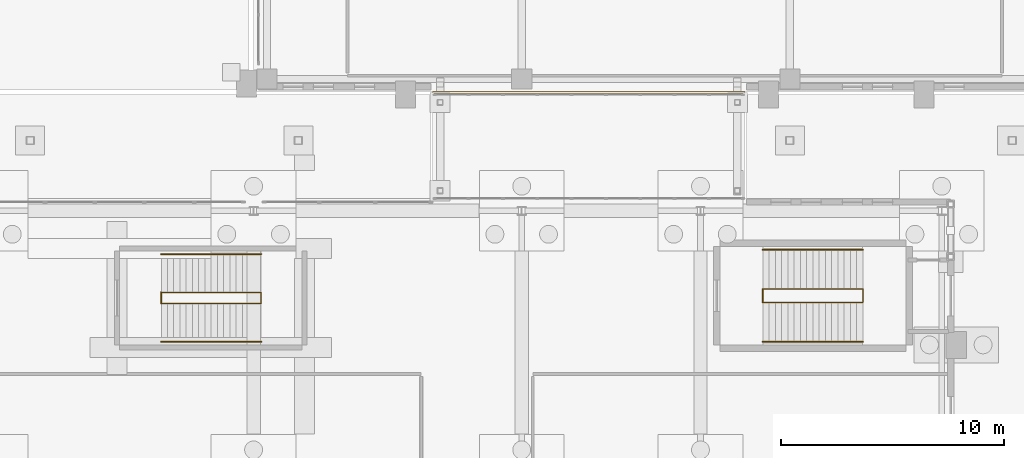
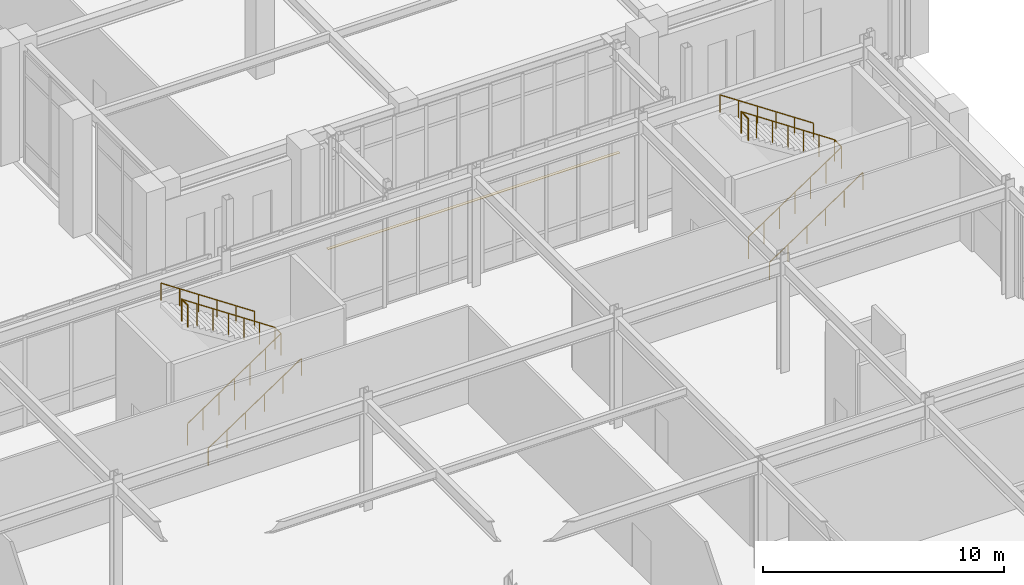
# One storey, part 138 of 143: 8 railings, 1 covering.
"""IFC4 building model written with IfcOpenShell, lengths in metres."""

from ifc_helpers import new_model, si_unit, derived_unit, direction, frame, origin, origin_2d, place, context, subcontext, project, spatial, polyline, circle, outline, extrude, material, layer, layer_set, type_object, element, save


model = new_model("IFC4")

# Units and contexts
model_context = context("Model", 3, precision=1e-05, world=origin(), true_north=direction((0.0, 1.0)))
body_context = subcontext(model_context, "Body", "Model", "MODEL_VIEW")
ifc_project = project(units=[si_unit("LENGTHUNIT", "METRE"), si_unit("AREAUNIT", "SQUARE_METRE"), si_unit("VOLUMEUNIT", "CUBIC_METRE"), si_unit("PLANEANGLEUNIT", "RADIAN"), si_unit("MASSUNIT", "GRAM", prefix="KILO"), derived_unit("THERMALTRANSMITTANCEUNIT", [(si_unit("MASSUNIT", "GRAM", prefix="KILO"), 1), (si_unit("TIMEUNIT", "SECOND"), -3), (si_unit("THERMODYNAMICTEMPERATUREUNIT", "KELVIN"), -1)])], contexts=[model_context])

# Site, building, storey
site_placement = place(None, origin())
site = spatial("IfcSite", under=ifc_project, at=site_placement, CompositionType="ELEMENT")
building_placement = place(site_placement, origin())
building = spatial("IfcBuilding", under=site, at=building_placement, Name="Valcora Ridge Arena", CompositionType="ELEMENT")
storey_placement = place(building_placement, origin())
storey = spatial("IfcBuildingStorey", under=building, at=storey_placement, Name="L00", CompositionType="ELEMENT", Elevation=0.0)

# Covering
ifc_material_1 = material(Name="Steel ASTM A572 Grade 50", Category="steel")
ifc_layer = layer(ifc_material_1, 0.02001953125, Name="Steel ASTM A572 Grade 50")
ifc_layer_set = layer_set([ifc_layer], Name="Steel ASTM A572 Grade 50")
covering_type = type_object("IfcCoveringType", Name="TY-COVERING-COV-SJ-150", PredefinedType="FLOORING", material=ifc_layer_set)
covering_placement = place(storey_placement, frame((0.0, 0.0, -0.02001953125)))
element("IfcCovering", 1, at=covering_placement, inside=storey, type_object=covering_type, Name="COV-SJ-150 COV-SJ-0023", PredefinedType="FLOORING", context=body_context, shape_type="SweptSolid", body=[
    extrude(outline(polyline([(164.0, 83.0), (178.0, 83.0), (178.0, 83.14990234375), (164.0, 83.14990234375), (164.0, 83.0)])), origin(), (0.0, 0.0, 1.0), 0.02001953125),
])

# Railings
ifc_material_2 = material(Name="Galvanized painted steel ASTM A500 Grade B", Category="steel")
railing_type_1 = type_object("IfcRailingType", Name="TY-RAILING-GRD-STAIR-1120", PredefinedType="GUARDRAIL", material=ifc_material_2)
railing_1_placement = place(storey_placement, frame((178.7900390625, 73.699951171875, 0.0)))
element("IfcRailing", 2, at=railing_1_placement, inside=storey, type_object=railing_type_1, Name="GRD-STAIR-1120 RAL-SG-0093", PredefinedType="GUARDRAIL", context=body_context, shape_type="SweptSolid", body=[
    extrude(circle(Radius=0.02392578125, at=origin_2d()), frame((0.0, 0.0, 1.09619140625), z_axis=(0.830906055479, 0.0, 0.556412730775), x_axis=(0.0, 1.0, 0.0)), (0.0, 0.0, 1.0), 5.3916015625),
    extrude(circle(Radius=0.02392578125, at=origin_2d()), frame((4.47998046875, 0.0, 4.09619140625), z_axis=(0.0, 1.0, 0.0), x_axis=(-1.0, 0.0, 0.0)), (0.0, 0.0, 1.0), 0.60009765625),
    extrude(circle(Radius=0.02392578125, at=origin_2d()), frame((4.47998046875, 0.60009765625, 4.09619140625), z_axis=(-0.830906055479, 0.0, 0.556412730775), x_axis=(0.0, -1.0, 0.0)), (0.0, 0.0, 1.0), 5.3916015625),
    extrude(circle(Radius=0.02099609375, at=origin_2d()), origin(), (0.0, 0.0, 1.0), 1.072021484375),
    extrude(circle(Radius=0.02099609375, at=origin_2d()), frame((0.74658203125, 0.0, 0.5)), (0.0, 0.0, 1.0), 1.072021484375),
    extrude(circle(Radius=0.02099609375, at=origin_2d()), frame((1.493408203125, 0.0, 1.0)), (0.0, 0.0, 1.0), 1.072021484375),
    extrude(circle(Radius=0.02099609375, at=origin_2d()), frame((2.239990234375, 0.0, 1.5)), (0.0, 0.0, 1.0), 1.072021484375),
    extrude(circle(Radius=0.02099609375, at=origin_2d()), frame((2.986572265625, 0.0, 2.0)), (0.0, 0.0, 1.0), 1.072021484375),
    extrude(circle(Radius=0.02099609375, at=origin_2d()), frame((3.7333984375, 0.0, 2.5)), (0.0, 0.0, 1.0), 1.072021484375),
    extrude(circle(Radius=0.02099609375, at=origin_2d()), frame((4.47998046875, 0.0, 3.0)), (0.0, 0.0, 1.0), 1.072021484375),
    extrude(circle(Radius=0.02099609375, at=origin_2d()), frame((4.47998046875, 0.60009765625, 3.0)), (0.0, 0.0, 1.0), 1.072021484375),
    extrude(circle(Radius=0.02099609375, at=origin_2d()), frame((3.7333984375, 0.60009765625, 3.5)), (0.0, 0.0, 1.0), 1.072021484375),
    extrude(circle(Radius=0.02099609375, at=origin_2d()), frame((2.986572265625, 0.60009765625, 4.0)), (0.0, 0.0, 1.0), 1.072021484375),
    extrude(circle(Radius=0.02099609375, at=origin_2d()), frame((2.239990234375, 0.60009765625, 4.5)), (0.0, 0.0, 1.0), 1.072021484375),
    extrude(circle(Radius=0.02099609375, at=origin_2d()), frame((1.493408203125, 0.60009765625, 5.0)), (0.0, 0.0, 1.0), 1.072021484375),
    extrude(circle(Radius=0.02099609375, at=origin_2d()), frame((0.74658203125, 0.60009765625, 5.5)), (0.0, 0.0, 1.0), 1.072021484375),
    extrude(circle(Radius=0.02099609375, at=origin_2d()), frame((0.0, 0.60009765625, 6.0)), (0.0, 0.0, 1.0), 1.072021484375),
])
railing_2_placement = place(storey_placement, frame((178.7900390625, 73.699951171875, 6.0)))
element("IfcRailing", 3, at=railing_2_placement, inside=storey, type_object=railing_type_1, Name="GRD-STAIR-1120 RAL-SG-0094", PredefinedType="GUARDRAIL", context=body_context, shape_type="SweptSolid", body=[
    extrude(circle(Radius=0.02392578125, at=origin_2d()), frame((0.0, 0.0, 1.09619140625), z_axis=(0.0, 1.0, 0.0), x_axis=(-1.0, 0.0, 0.0)), (0.0, 0.0, 1.0), 0.60009765625),
    extrude(circle(Radius=0.02099609375, at=origin_2d()), origin(), (0.0, 0.0, 1.0), 1.072021484375),
    extrude(circle(Radius=0.02099609375, at=origin_2d()), frame((0.0, 0.60009765625, 0.0)), (0.0, 0.0, 1.0), 1.072021484375),
])
railing_3_placement = place(storey_placement, frame((151.860107421875, 73.64990234375, 0.0)))
element("IfcRailing", 4, at=railing_3_placement, inside=storey, type_object=railing_type_1, Name="GRD-STAIR-1120 RAL-SG-0169", PredefinedType="GUARDRAIL", context=body_context, shape_type="SweptSolid", body=[
    extrude(circle(Radius=0.02392578125, at=origin_2d()), frame((0.0, 0.0, 1.09619140625), z_axis=(0.830906055479, 0.0, 0.556412730775), x_axis=(0.0, 1.0, 0.0)), (0.0, 0.0, 1.0), 5.3916015625),
    extrude(circle(Radius=0.02392578125, at=origin_2d()), frame((4.47998046875, 0.0, 4.09619140625), z_axis=(0.0, 1.0, 0.0), x_axis=(-1.0, 0.0, 0.0)), (0.0, 0.0, 1.0), 0.5),
    extrude(circle(Radius=0.02392578125, at=origin_2d()), frame((4.47998046875, 0.5, 4.09619140625), z_axis=(-0.830906055479, 0.0, 0.556412730775), x_axis=(0.0, -1.0, 0.0)), (0.0, 0.0, 1.0), 5.3916015625),
    extrude(circle(Radius=0.02099609375, at=origin_2d()), origin(), (0.0, 0.0, 1.0), 1.072021484375),
    extrude(circle(Radius=0.02099609375, at=origin_2d()), frame((0.74658203125, 0.0, 0.5)), (0.0, 0.0, 1.0), 1.072021484375),
    extrude(circle(Radius=0.02099609375, at=origin_2d()), frame((1.493408203125, 0.0, 1.0)), (0.0, 0.0, 1.0), 1.072021484375),
    extrude(circle(Radius=0.02099609375, at=origin_2d()), frame((2.239990234375, 0.0, 1.5)), (0.0, 0.0, 1.0), 1.072021484375),
    extrude(circle(Radius=0.02099609375, at=origin_2d()), frame((2.986572265625, 0.0, 2.0)), (0.0, 0.0, 1.0), 1.072021484375),
    extrude(circle(Radius=0.02099609375, at=origin_2d()), frame((3.7333984375, 0.0, 2.5)), (0.0, 0.0, 1.0), 1.072021484375),
    extrude(circle(Radius=0.02099609375, at=origin_2d()), frame((4.47998046875, 0.0, 3.0)), (0.0, 0.0, 1.0), 1.072021484375),
    extrude(circle(Radius=0.02099609375, at=origin_2d()), frame((4.47998046875, 0.5, 3.0)), (0.0, 0.0, 1.0), 1.072021484375),
    extrude(circle(Radius=0.02099609375, at=origin_2d()), frame((3.7333984375, 0.5, 3.5)), (0.0, 0.0, 1.0), 1.072021484375),
    extrude(circle(Radius=0.02099609375, at=origin_2d()), frame((2.986572265625, 0.5, 4.0)), (0.0, 0.0, 1.0), 1.072021484375),
    extrude(circle(Radius=0.02099609375, at=origin_2d()), frame((2.239990234375, 0.5, 4.5)), (0.0, 0.0, 1.0), 1.072021484375),
    extrude(circle(Radius=0.02099609375, at=origin_2d()), frame((1.493408203125, 0.5, 5.0)), (0.0, 0.0, 1.0), 1.072021484375),
    extrude(circle(Radius=0.02099609375, at=origin_2d()), frame((0.74658203125, 0.5, 5.5)), (0.0, 0.0, 1.0), 1.072021484375),
    extrude(circle(Radius=0.02099609375, at=origin_2d()), frame((0.0, 0.5, 6.0)), (0.0, 0.0, 1.0), 1.072021484375),
])
railing_4_placement = place(storey_placement, frame((151.860107421875, 73.64990234375, 6.0)))
element("IfcRailing", 5, at=railing_4_placement, inside=storey, type_object=railing_type_1, Name="GRD-STAIR-1120 RAL-SG-0170", PredefinedType="GUARDRAIL", context=body_context, shape_type="SweptSolid", body=[
    extrude(circle(Radius=0.02392578125, at=origin_2d()), frame((0.0, 0.0, 1.09619140625), z_axis=(0.0, 1.0, 0.0), x_axis=(-1.0, 0.0, 0.0)), (0.0, 0.0, 1.0), 0.5),
    extrude(circle(Radius=0.02099609375, at=origin_2d()), origin(), (0.0, 0.0, 1.0), 1.072021484375),
    extrude(circle(Radius=0.02099609375, at=origin_2d()), frame((0.0, 0.5, 0.0)), (0.0, 0.0, 1.0), 1.072021484375),
])
railing_type_2 = type_object("IfcRailingType", Name="TY-RAILING-HR-STAIR-900", PredefinedType="HANDRAIL", material=ifc_material_2)
railing_5_placement = place(storey_placement, frame((178.7900390625, 71.93994140625, 0.0)))
element("IfcRailing", 6, at=railing_5_placement, inside=storey, type_object=railing_type_2, Name="HR-STAIR-900 RAL-SH-0093", PredefinedType="HANDRAIL", context=body_context, shape_type="SweptSolid", body=[
    extrude(circle(Radius=0.02392578125, at=origin_2d()), frame((0.0, 0.0, 0.8759765625), z_axis=(0.830906055479, 0.0, 0.556412730775), x_axis=(0.0, 1.0, 0.0)), (0.0, 0.0, 1.0), 5.3916015625),
    extrude(circle(Radius=0.02099609375, at=origin_2d()), origin(), (0.0, 0.0, 1.0), 0.851806640625),
    extrude(circle(Radius=0.02099609375, at=origin_2d()), frame((0.89599609375, 0.0, 0.60009765625)), (0.0, 0.0, 1.0), 0.851806640625),
    extrude(circle(Radius=0.02099609375, at=origin_2d()), frame((1.7919921875, 0.0, 1.199951171875)), (0.0, 0.0, 1.0), 0.851806640625),
    extrude(circle(Radius=0.02099609375, at=origin_2d()), frame((2.68798828125, 0.0, 1.800048828125)), (0.0, 0.0, 1.0), 0.851806640625),
    extrude(circle(Radius=0.02099609375, at=origin_2d()), frame((3.583984375, 0.0, 2.39990234375)), (0.0, 0.0, 1.0), 0.851806640625),
    extrude(circle(Radius=0.02099609375, at=origin_2d()), frame((4.47998046875, 0.0, 3.0)), (0.0, 0.0, 1.0), 0.851806640625),
])
railing_6_placement = place(storey_placement, frame((183.27001953125, 76.06005859375, 3.0)))
element("IfcRailing", 7, at=railing_6_placement, inside=storey, type_object=railing_type_2, Name="HR-STAIR-900 RAL-SH-0094", PredefinedType="HANDRAIL", context=body_context, shape_type="SweptSolid", body=[
    extrude(circle(Radius=0.02392578125, at=origin_2d()), frame((0.0, 0.0, 0.8759765625), z_axis=(-0.830906055479, 0.0, 0.556412730775), x_axis=(0.0, -1.0, 0.0)), (0.0, 0.0, 1.0), 5.3916015625),
    extrude(circle(Radius=0.02099609375, at=origin_2d()), origin(), (0.0, 0.0, 1.0), 0.851806640625),
    extrude(circle(Radius=0.02099609375, at=origin_2d()), frame((-0.89599609375, 0.0, 0.60009765625)), (0.0, 0.0, 1.0), 0.851806640625),
    extrude(circle(Radius=0.02099609375, at=origin_2d()), frame((-1.7919921875, 0.0, 1.199951171875)), (0.0, 0.0, 1.0), 0.851806640625),
    extrude(circle(Radius=0.02099609375, at=origin_2d()), frame((-2.68798828125, 0.0, 1.800048828125)), (0.0, 0.0, 1.0), 0.851806640625),
    extrude(circle(Radius=0.02099609375, at=origin_2d()), frame((-3.583984375, 0.0, 2.39990234375)), (0.0, 0.0, 1.0), 0.851806640625),
    extrude(circle(Radius=0.02099609375, at=origin_2d()), frame((-4.47998046875, 0.0, 3.0)), (0.0, 0.0, 1.0), 0.851806640625),
])
railing_7_placement = place(storey_placement, frame((151.860107421875, 71.93994140625, 0.0)))
element("IfcRailing", 8, at=railing_7_placement, inside=storey, type_object=railing_type_2, Name="HR-STAIR-900 RAL-SH-0169", PredefinedType="HANDRAIL", context=body_context, shape_type="SweptSolid", body=[
    extrude(circle(Radius=0.02392578125, at=origin_2d()), frame((0.0, 0.0, 0.8759765625), z_axis=(0.830906055479, 0.0, 0.556412730775), x_axis=(0.0, 1.0, 0.0)), (0.0, 0.0, 1.0), 5.3916015625),
    extrude(circle(Radius=0.02099609375, at=origin_2d()), origin(), (0.0, 0.0, 1.0), 0.851806640625),
    extrude(circle(Radius=0.02099609375, at=origin_2d()), frame((0.89599609375, 0.0, 0.60009765625)), (0.0, 0.0, 1.0), 0.851806640625),
    extrude(circle(Radius=0.02099609375, at=origin_2d()), frame((1.7919921875, 0.0, 1.199951171875)), (0.0, 0.0, 1.0), 0.851806640625),
    extrude(circle(Radius=0.02099609375, at=origin_2d()), frame((2.68798828125, 0.0, 1.800048828125)), (0.0, 0.0, 1.0), 0.851806640625),
    extrude(circle(Radius=0.02099609375, at=origin_2d()), frame((3.583984375, 0.0, 2.39990234375)), (0.0, 0.0, 1.0), 0.851806640625),
    extrude(circle(Radius=0.02099609375, at=origin_2d()), frame((4.47998046875, 0.0, 3.0)), (0.0, 0.0, 1.0), 0.851806640625),
])
railing_8_placement = place(storey_placement, frame((156.340087890625, 75.860107421875, 3.0)))
element("IfcRailing", 9, at=railing_8_placement, inside=storey, type_object=railing_type_2, Name="HR-STAIR-900 RAL-SH-0170", PredefinedType="HANDRAIL", context=body_context, shape_type="SweptSolid", body=[
    extrude(circle(Radius=0.02392578125, at=origin_2d()), frame((0.0, 0.0, 0.8759765625), z_axis=(-0.830906055479, 0.0, 0.556412730775), x_axis=(0.0, -1.0, 0.0)), (0.0, 0.0, 1.0), 5.3916015625),
    extrude(circle(Radius=0.02099609375, at=origin_2d()), origin(), (0.0, 0.0, 1.0), 0.851806640625),
    extrude(circle(Radius=0.02099609375, at=origin_2d()), frame((-0.89599609375, 0.0, 0.60009765625)), (0.0, 0.0, 1.0), 0.851806640625),
    extrude(circle(Radius=0.02099609375, at=origin_2d()), frame((-1.7919921875, 0.0, 1.199951171875)), (0.0, 0.0, 1.0), 0.851806640625),
    extrude(circle(Radius=0.02099609375, at=origin_2d()), frame((-2.68798828125, 0.0, 1.800048828125)), (0.0, 0.0, 1.0), 0.851806640625),
    extrude(circle(Radius=0.02099609375, at=origin_2d()), frame((-3.583984375, 0.0, 2.39990234375)), (0.0, 0.0, 1.0), 0.851806640625),
    extrude(circle(Radius=0.02099609375, at=origin_2d()), frame((-4.47998046875, 0.0, 3.0)), (0.0, 0.0, 1.0), 0.851806640625),
])

save(model, "model.ifc")
